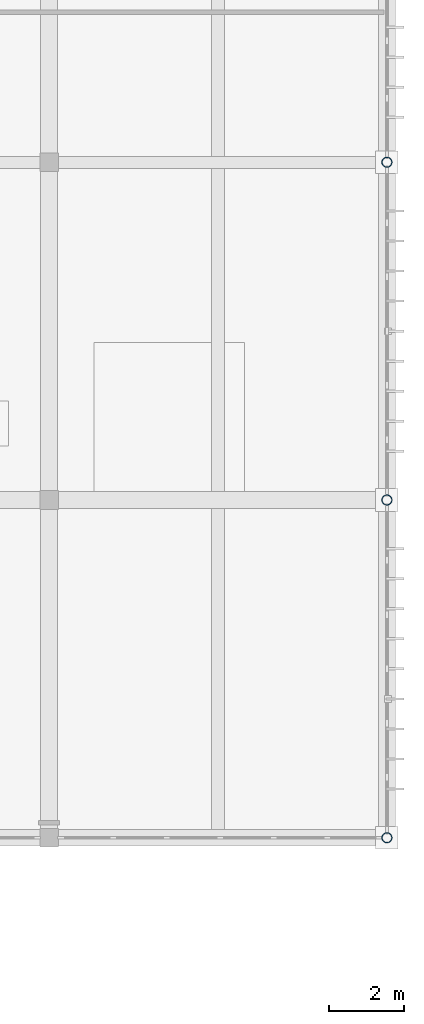
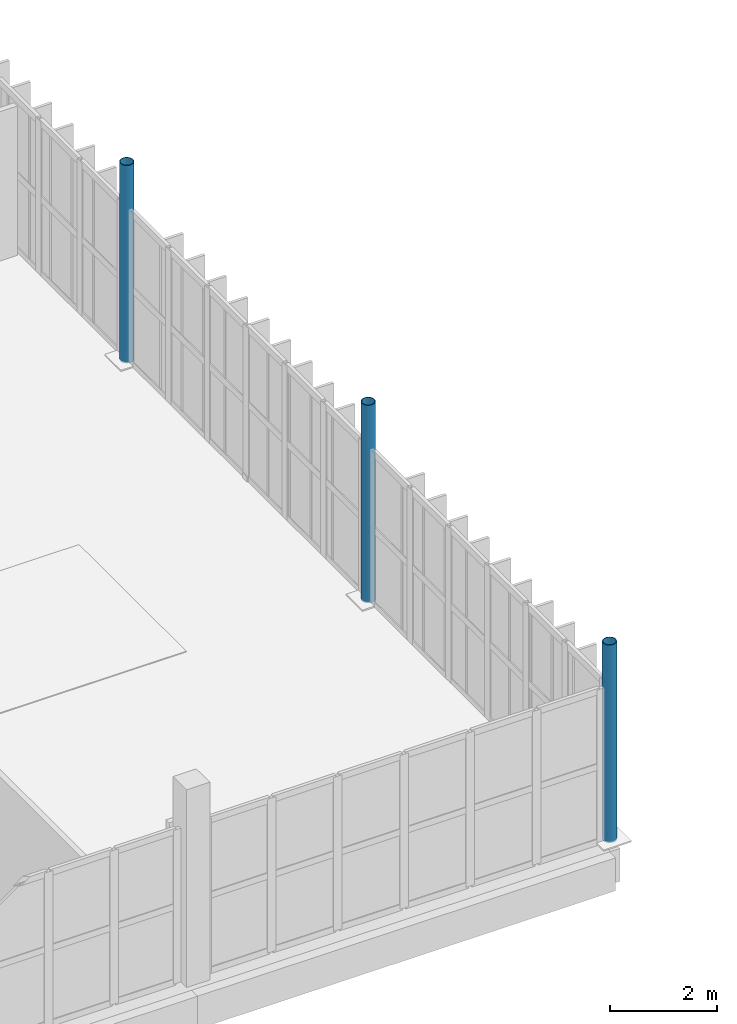
# One storey, part 4 of 81: 3 columns.
"""IFC4 building model written with IfcOpenShell, lengths in metres."""

from ifc_helpers import new_model, si_unit, direction, frame, origin, origin_2d, place, context, subcontext, project, spatial, hollow_circle, extrude, material, material_profile, profile_set, type_object, element, save


model = new_model("IFC4")

# Units and contexts
model_context = context("Model", 3, precision=1e-05, world=origin(), true_north=direction((0.0, 1.0)))
body_context = subcontext(model_context, "Body", "Model", "MODEL_VIEW")
ifc_project = project(units=[si_unit("LENGTHUNIT", "METRE"), si_unit("AREAUNIT", "SQUARE_METRE"), si_unit("VOLUMEUNIT", "CUBIC_METRE"), si_unit("PLANEANGLEUNIT", "RADIAN"), si_unit("MASSUNIT", "GRAM", prefix="KILO")], contexts=[model_context])

# Site, building, storey
site_placement = place(None, origin())
site = spatial("IfcSite", under=ifc_project, at=site_placement, CompositionType="ELEMENT")
building_placement = place(site_placement, origin())
building = spatial("IfcBuilding", under=site, at=building_placement, Name="Vourika Railside Aquatics Centre", CompositionType="ELEMENT")
storey_placement = place(building_placement, frame((0.0, 0.0, 4.800048828125)))
storey = spatial("IfcBuildingStorey", under=building, at=storey_placement, Name="L01", CompositionType="ELEMENT", Elevation=4.800048828125)

# Columns
ifc_material = material(Name="Steel S355J2", Category="steel")
ifc_material_profile = material_profile(ifc_material, hollow_circle(Radius=0.136474609375, WallThickness=0.012451171875, at=origin_2d()), Name="CHS 273x12.5")
ifc_profile_set = profile_set([ifc_material_profile], Name="Steel S355J2")
column_type = type_object("IfcColumnType", Name="COL-STL-CHS273", PredefinedType="COLUMN", material=ifc_profile_set)
for number, where, z_axis, x_axis, name in (
    (1, (168.0, 40.0, 0.0), (0.0, 0.0, 1.0), (1.0, 0.0, 0.0), "Column col:L01:1680_400"),
    (2, (168.0, 49.0, 0.0), (0.0, 0.0, 1.0), (1.0, 0.0, 0.0), "Column col:L01:1680_490"),
    (3, (168.0, 58.0, 0.0), (0.0, 0.0, 1.0), (1.0, 0.0, 0.0), "Column col:L01:1680_580"),
):
    element("IfcColumn", number, at=place(storey_placement, frame(where, z_axis=z_axis, x_axis=x_axis)), inside=storey, type_object=column_type, Name=name, PredefinedType="COLUMN", context=body_context, shape_type="SweptSolid", body=[
        extrude(hollow_circle(Radius=0.136474609375, WallThickness=0.012451171875, at=origin_2d()), origin(), (0.0, 0.0, 1.0), 4.5),
    ])

save(model, "model.ifc")
